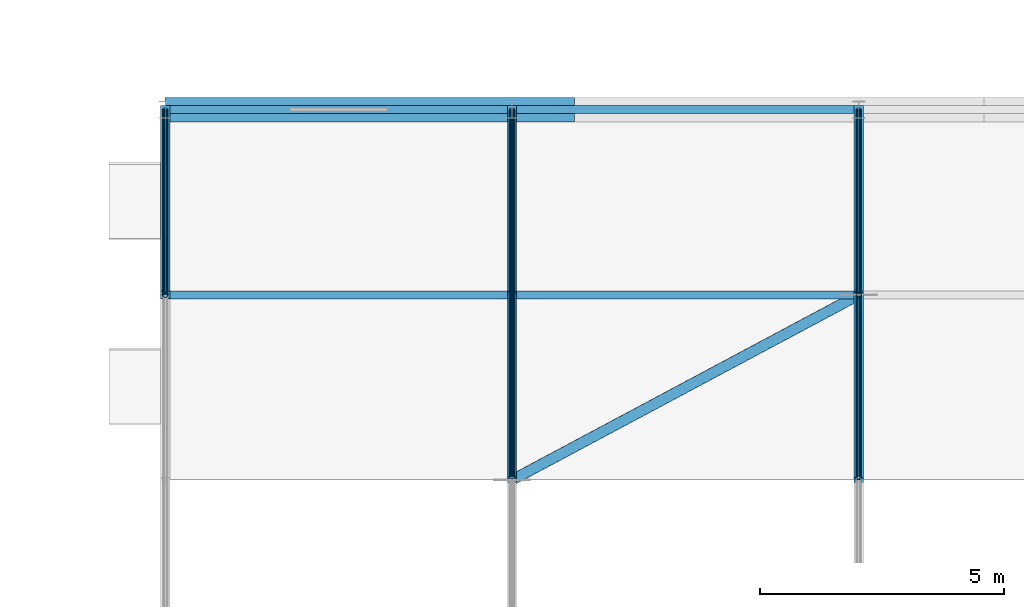
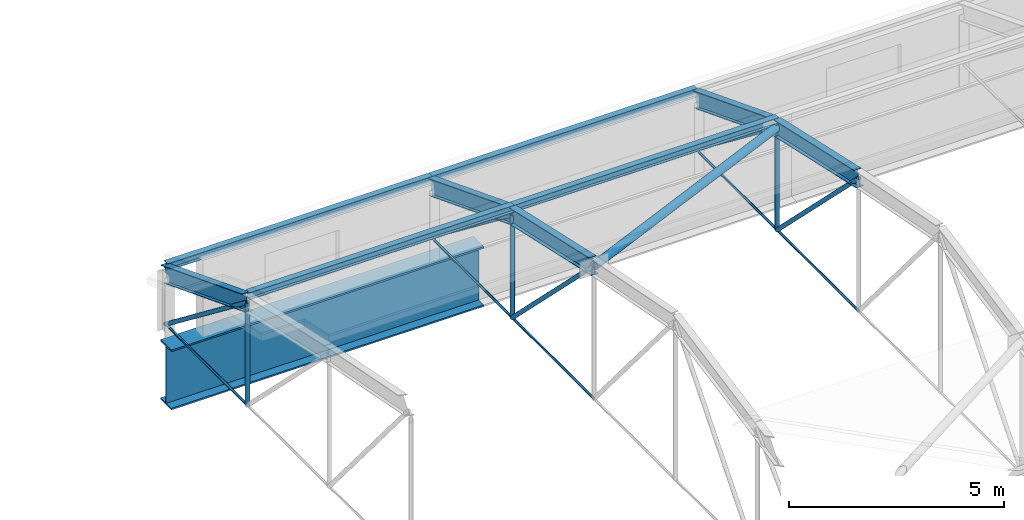
# One storey, part 10 of 53: 18 members, 6 beams.
"""IFC4 building model written with IfcOpenShell, lengths in metres."""

from ifc_helpers import new_model, si_unit, direction, frame, origin_with_axes, origin_2d_with_axis, place, context, subcontext, project, spatial, circle, hollow_circle, i_section, extrude, material, material_profile, profile_set, type_object, element, save


model = new_model("IFC4")

# Units and contexts
model_context = context("Model", 3, precision=1e-05, world=origin_with_axes(), true_north=direction((0.0, 1.0)))
body_context = subcontext(model_context, "Body", "Model", "MODEL_VIEW")
ifc_project = project(units=[si_unit("LENGTHUNIT", "METRE"), si_unit("AREAUNIT", "SQUARE_METRE"), si_unit("VOLUMEUNIT", "CUBIC_METRE"), si_unit("PLANEANGLEUNIT", "RADIAN"), si_unit("MASSUNIT", "GRAM", prefix="KILO"), si_unit("THERMODYNAMICTEMPERATUREUNIT", "KELVIN")], contexts=[model_context])

# Site, building, storey
site_placement = place(None, origin_with_axes())
site = spatial("IfcSite", under=ifc_project, at=site_placement, CompositionType="ELEMENT")
building_placement = place(site_placement, origin_with_axes())
building = spatial("IfcBuilding", under=site, at=building_placement, Name="Montbau Bow Law Courts", CompositionType="ELEMENT")
storey_placement = place(building_placement, frame((0.0, 0.0, 39.0), z_axis=(0.0, 0.0, 1.0), x_axis=(1.0, 0.0, 0.0)))
storey = spatial("IfcBuildingStorey", under=building, at=storey_placement, Name="L08", CompositionType="ELEMENT", Elevation=39.0)

# Beams
ifc_material = material(Name="Steel CSA G40.21 Grade 350WT (350 MPa)", Category="steel")
ifc_material_profile_1 = material_profile(ifc_material, i_section(OverallWidth=0.191, OverallDepth=0.46, WebThickness=0.0099, FlangeThickness=0.016, at=origin_2d_with_axis()), Name="W460X82", Category="Main", Priority=0)
ifc_profile_set_1 = profile_set([ifc_material_profile_1], Name="Steel CSA G40.21 Grade 350WT (350 MPa)")
beam_type_1 = type_object("IfcBeamType", Name="B-ARC-02", PredefinedType="USERDEFINED", material=ifc_profile_set_1)
beam_1_placement = place(None, frame((55.2, 58.0, 42.178), z_axis=(0.0, 0.931986259, -0.362493603), x_axis=(-1.0, 0.0, 0.0)))
element("IfcBeam", 1, at=beam_1_placement, inside=storey, type_object=beam_type_1, Name="Barrel vault roof truss arch rib V3-102", ObjectType="ARCH_RIB", PredefinedType="USERDEFINED", context=body_context, shape_type="SweptSolid", body=[
    extrude(i_section(OverallWidth=0.191, OverallDepth=0.46, WebThickness=0.0099, FlangeThickness=0.016, at=origin_2d_with_axis()), origin_with_axes(), (0.0, 0.0, 1.0), 4.077313),
])
beam_2_placement = place(None, frame((62.314, 54.2, 43.024), z_axis=(0.0, 0.97610237, -0.217311212), x_axis=(-1.0, 0.0, 0.0)))
element("IfcBeam", 2, at=beam_2_placement, inside=storey, type_object=beam_type_1, Name="Barrel vault roof truss arch rib V3-107", ObjectType="ARCH_RIB", PredefinedType="USERDEFINED", context=body_context, shape_type="SweptSolid", body=[
    extrude(i_section(OverallWidth=0.191, OverallDepth=0.46, WebThickness=0.0099, FlangeThickness=0.016, at=origin_2d_with_axis()), origin_with_axes(), (0.0, 0.0, 1.0), 3.893034),
])
beam_3_placement = place(None, frame((62.314, 58.0, 42.178), z_axis=(0.0, 0.931986259, -0.362493603), x_axis=(-1.0, 0.0, 0.0)))
element("IfcBeam", 3, at=beam_3_placement, inside=storey, type_object=beam_type_1, Name="Barrel vault roof truss arch rib V3-108", ObjectType="ARCH_RIB", PredefinedType="USERDEFINED", context=body_context, shape_type="SweptSolid", body=[
    extrude(i_section(OverallWidth=0.191, OverallDepth=0.46, WebThickness=0.0099, FlangeThickness=0.016, at=origin_2d_with_axis()), origin_with_axes(), (0.0, 0.0, 1.0), 4.077313),
])
beam_4_placement = place(None, frame((69.429, 54.2, 43.024), z_axis=(0.0, 0.97610237, -0.217311212), x_axis=(-1.0, 0.0, 0.0)))
element("IfcBeam", 4, at=beam_4_placement, inside=storey, type_object=beam_type_1, Name="Barrel vault roof truss arch rib V3-113", ObjectType="ARCH_RIB", PredefinedType="USERDEFINED", context=body_context, shape_type="SweptSolid", body=[
    extrude(i_section(OverallWidth=0.191, OverallDepth=0.46, WebThickness=0.0099, FlangeThickness=0.016, at=origin_2d_with_axis()), origin_with_axes(), (0.0, 0.0, 1.0), 3.893034),
])
beam_5_placement = place(None, frame((69.429, 58.0, 42.178), z_axis=(0.0, 0.931986259, -0.362493603), x_axis=(-1.0, 0.0, 0.0)))
element("IfcBeam", 5, at=beam_5_placement, inside=storey, type_object=beam_type_1, Name="Barrel vault roof truss arch rib V3-114", ObjectType="ARCH_RIB", PredefinedType="USERDEFINED", context=body_context, shape_type="SweptSolid", body=[
    extrude(i_section(OverallWidth=0.191, OverallDepth=0.46, WebThickness=0.0099, FlangeThickness=0.016, at=origin_2d_with_axis()), origin_with_axes(), (0.0, 0.0, 1.0), 4.077313),
])
ifc_material_profile_2 = material_profile(ifc_material, i_section(OverallWidth=0.5, OverallDepth=1.7, WebThickness=0.02, FlangeThickness=0.045, at=origin_2d_with_axis()), Name="WWF1700X480", Category="Main", Priority=0)
ifc_profile_set_2 = profile_set([ifc_material_profile_2], Name="Steel CSA G40.21 Grade 350WT (350 MPa)")
beam_type_2 = type_object("IfcBeamType", Name="B-TRG-02", PredefinedType="USERDEFINED", material=ifc_profile_set_2)
beam_6_placement = place(None, frame((55.2, 61.8, 37.81), z_axis=(1.0, 0.0, 0.0), x_axis=(0.0, 1.0, 0.0)))
element("IfcBeam", 6, at=beam_6_placement, inside=storey, type_object=beam_type_2, Name="VRG-L08-S0025:bm2_0028", ObjectType="GIRDER", PredefinedType="USERDEFINED", context=body_context, shape_type="SweptSolid", body=[
    extrude(i_section(OverallWidth=0.5, OverallDepth=1.7, WebThickness=0.02, FlangeThickness=0.045, at=origin_2d_with_axis()), origin_with_axes(), (0.0, 0.0, 1.0), 8.4),
])

# Members
ifc_material_profile_3 = material_profile(ifc_material, hollow_circle(Radius=0.1095, WallThickness=0.0111, at=origin_2d_with_axis()), Name="HSS219X11", Category="Main", Priority=0)
ifc_profile_set_3 = profile_set([ifc_material_profile_3], Name="Steel CSA G40.21 Grade 350WT (350 MPa)")
member_type_1 = type_object("IfcMemberType", Name="M-BRC-04", PredefinedType="BRACE", material=ifc_profile_set_3)
member_1_placement = place(None, frame((62.314, 54.2, 43.024), z_axis=(0.877266339, 0.468532971, -0.104310235), x_axis=(-0.471102928, 0.882078246, 0.0)))
element("IfcMember", 7, at=member_1_placement, inside=storey, type_object=member_type_1, Name="Diagonal brace VBR-V3-090", PredefinedType="BRACE", context=body_context, shape_type="SweptSolid", body=[
    extrude(hollow_circle(Radius=0.1095, WallThickness=0.0111, at=origin_2d_with_axis()), origin_with_axes(), (0.0, 0.0, 1.0), 8.110422),
])
ifc_material_profile_4 = material_profile(ifc_material, i_section(OverallWidth=0.165, OverallDepth=0.201, WebThickness=0.0062, FlangeThickness=0.0102, at=origin_2d_with_axis()), Name="W200X36", Category="Main", Priority=0)
ifc_profile_set_4 = profile_set([ifc_material_profile_4], Name="Steel CSA G40.21 Grade 350WT (350 MPa)")
member_type_2 = type_object("IfcMemberType", Name="M-PUR-02", PredefinedType="PURLIN", material=ifc_profile_set_4)
for number, where, z_axis, x_axis, name in (
    (8, (55.2, 58.0, 42.388), (1.0, 0.0, 0.0), (0.0, 1.0, 0.0), "Barrel vault roof truss purlin V3-104"),
    (9, (55.2, 61.8, 40.91), (1.0, 0.0, 0.0), (0.0, 1.0, 0.0), "Barrel vault roof truss purlin V3-105"),
):
    element("IfcMember", number, at=place(None, frame(where, z_axis=z_axis, x_axis=x_axis)), inside=storey, type_object=member_type_2, Name=name, PredefinedType="PURLIN", context=body_context, shape_type="SweptSolid", body=[
        extrude(i_section(OverallWidth=0.165, OverallDepth=0.201, WebThickness=0.0062, FlangeThickness=0.0102, at=origin_2d_with_axis()), origin_with_axes(), (0.0, 0.0, 1.0), 7.114),
    ])
for number, where, z_axis, x_axis, name in (
    (10, (62.314, 58.0, 42.388), (1.0, 0.0, 0.0), (0.0, 1.0, 0.0), "Barrel vault roof truss purlin V3-111"),
    (11, (62.314, 61.8, 40.91), (1.0, 0.0, 0.0), (0.0, 1.0, 0.0), "Barrel vault roof truss purlin V3-112"),
):
    element("IfcMember", number, at=place(None, frame(where, z_axis=z_axis, x_axis=x_axis)), inside=storey, type_object=member_type_2, Name=name, PredefinedType="PURLIN", context=body_context, shape_type="SweptSolid", body=[
        extrude(i_section(OverallWidth=0.165, OverallDepth=0.201, WebThickness=0.0062, FlangeThickness=0.0102, at=origin_2d_with_axis()), origin_with_axes(), (0.0, 0.0, 1.0), 7.115),
    ])
ifc_material_profile_5 = material_profile(ifc_material, hollow_circle(Radius=0.057, WallThickness=0.008, at=origin_2d_with_axis()), Name="HSS114X8.0", Category="Main", Priority=0)
ifc_profile_set_5 = profile_set([ifc_material_profile_5], Name="Steel CSA G40.21 Grade 350WT (350 MPa)")
member_type_3 = type_object("IfcMemberType", Name="M-STR-03", PredefinedType="STRUT", material=ifc_profile_set_5)
member_2_placement = place(None, frame((55.2, 58.0, 42.178), z_axis=(0.0, 0.792127775, -0.610355296), x_axis=(-1.0, 0.0, 0.0)))
element("IfcMember", 12, at=member_2_placement, inside=storey, type_object=member_type_3, Name="Barrel vault roof truss web diagonal V3-01-6", PredefinedType="STRUT", context=body_context, shape_type="SweptSolid", body=[
    extrude(hollow_circle(Radius=0.057, WallThickness=0.008, at=origin_2d_with_axis()), origin_with_axes(), (0.0, 0.0, 1.0), 4.797206),
])
member_3_placement = place(None, frame((55.2, 58.0, 39.25), z_axis=(0.0, 0.0, 1.0), x_axis=(1.0, 0.0, 0.0)))
element("IfcMember", 13, at=member_3_placement, inside=storey, type_object=member_type_3, Name="Barrel vault roof truss web post V3-01-5", PredefinedType="STRUT", context=body_context, shape_type="SweptSolid", body=[
    extrude(hollow_circle(Radius=0.057, WallThickness=0.008, at=origin_2d_with_axis()), origin_with_axes(), (0.0, 0.0, 1.0), 2.928),
])
member_4_placement = place(None, frame((62.314, 54.2, 43.024), z_axis=(0.0, 0.709529954, -0.704675276), x_axis=(-1.0, 0.0, 0.0)))
element("IfcMember", 14, at=member_4_placement, inside=storey, type_object=member_type_3, Name="Barrel vault roof truss web diagonal V3-02-5", PredefinedType="STRUT", context=body_context, shape_type="SweptSolid", body=[
    extrude(hollow_circle(Radius=0.057, WallThickness=0.008, at=origin_2d_with_axis()), origin_with_axes(), (0.0, 0.0, 1.0), 5.355658),
])
member_5_placement = place(None, frame((62.314, 58.0, 42.178), z_axis=(0.0, 0.792127775, -0.610355296), x_axis=(-1.0, 0.0, 0.0)))
element("IfcMember", 15, at=member_5_placement, inside=storey, type_object=member_type_3, Name="Barrel vault roof truss web diagonal V3-02-6", PredefinedType="STRUT", context=body_context, shape_type="SweptSolid", body=[
    extrude(hollow_circle(Radius=0.057, WallThickness=0.008, at=origin_2d_with_axis()), origin_with_axes(), (0.0, 0.0, 1.0), 4.797206),
])
member_6_placement = place(None, frame((62.314, 58.0, 39.25), z_axis=(0.0, 0.0, 1.0), x_axis=(1.0, 0.0, 0.0)))
element("IfcMember", 16, at=member_6_placement, inside=storey, type_object=member_type_3, Name="Barrel vault roof truss web post V3-02-5", PredefinedType="STRUT", context=body_context, shape_type="SweptSolid", body=[
    extrude(hollow_circle(Radius=0.057, WallThickness=0.008, at=origin_2d_with_axis()), origin_with_axes(), (0.0, 0.0, 1.0), 2.928),
])
member_7_placement = place(None, frame((69.429, 54.2, 43.024), z_axis=(0.0, 0.709529954, -0.704675276), x_axis=(-1.0, 0.0, 0.0)))
element("IfcMember", 17, at=member_7_placement, inside=storey, type_object=member_type_3, Name="Barrel vault roof truss web diagonal V3-03-5", PredefinedType="STRUT", context=body_context, shape_type="SweptSolid", body=[
    extrude(hollow_circle(Radius=0.057, WallThickness=0.008, at=origin_2d_with_axis()), origin_with_axes(), (0.0, 0.0, 1.0), 5.355658),
])
member_8_placement = place(None, frame((69.429, 58.0, 42.178), z_axis=(0.0, 0.792127775, -0.610355296), x_axis=(-1.0, 0.0, 0.0)))
element("IfcMember", 18, at=member_8_placement, inside=storey, type_object=member_type_3, Name="Barrel vault roof truss web diagonal V3-03-6", PredefinedType="STRUT", context=body_context, shape_type="SweptSolid", body=[
    extrude(hollow_circle(Radius=0.057, WallThickness=0.008, at=origin_2d_with_axis()), origin_with_axes(), (0.0, 0.0, 1.0), 4.797206),
])
member_9_placement = place(None, frame((69.429, 58.0, 39.25), z_axis=(0.0, 0.0, 1.0), x_axis=(1.0, 0.0, 0.0)))
element("IfcMember", 19, at=member_9_placement, inside=storey, type_object=member_type_3, Name="Barrel vault roof truss web post V3-03-5", PredefinedType="STRUT", context=body_context, shape_type="SweptSolid", body=[
    extrude(hollow_circle(Radius=0.057, WallThickness=0.008, at=origin_2d_with_axis()), origin_with_axes(), (0.0, 0.0, 1.0), 2.928),
])
ifc_material_profile_6 = material_profile(ifc_material, circle(Radius=0.032, at=origin_2d_with_axis()), Name="ROD64", Category="Main", Priority=0)
ifc_profile_set_6 = profile_set([ifc_material_profile_6], Name="Steel CSA G40.21 Grade 350WT (350 MPa)")
member_type_4 = type_object("IfcMemberType", Name="M-TIE-02", PredefinedType="USERDEFINED", material=ifc_profile_set_6)
for number, where, z_axis, x_axis, name in (
    (20, (55.2, 58.0, 39.25), (0.0, 1.0, 0.0), (-1.0, 0.0, 0.0), "Barrel vault roof truss tie V3-102"),
    (21, (62.314, 54.2, 39.25), (0.0, 1.0, 0.0), (-1.0, 0.0, 0.0), "Barrel vault roof truss tie V3-107"),
    (22, (62.314, 58.0, 39.25), (0.0, 1.0, 0.0), (-1.0, 0.0, 0.0), "Barrel vault roof truss tie V3-108"),
    (23, (69.429, 54.2, 39.25), (0.0, 1.0, 0.0), (-1.0, 0.0, 0.0), "Barrel vault roof truss tie V3-113"),
    (24, (69.429, 58.0, 39.25), (0.0, 1.0, 0.0), (-1.0, 0.0, 0.0), "Barrel vault roof truss tie V3-114"),
):
    element("IfcMember", number, at=place(None, frame(where, z_axis=z_axis, x_axis=x_axis)), inside=storey, type_object=member_type_4, Name=name, ObjectType="TIEBAR", PredefinedType="USERDEFINED", context=body_context, shape_type="SweptSolid", body=[
        extrude(circle(Radius=0.032, at=origin_2d_with_axis()), origin_with_axes(), (0.0, 0.0, 1.0), 3.8),
    ])

save(model, "model.ifc")
